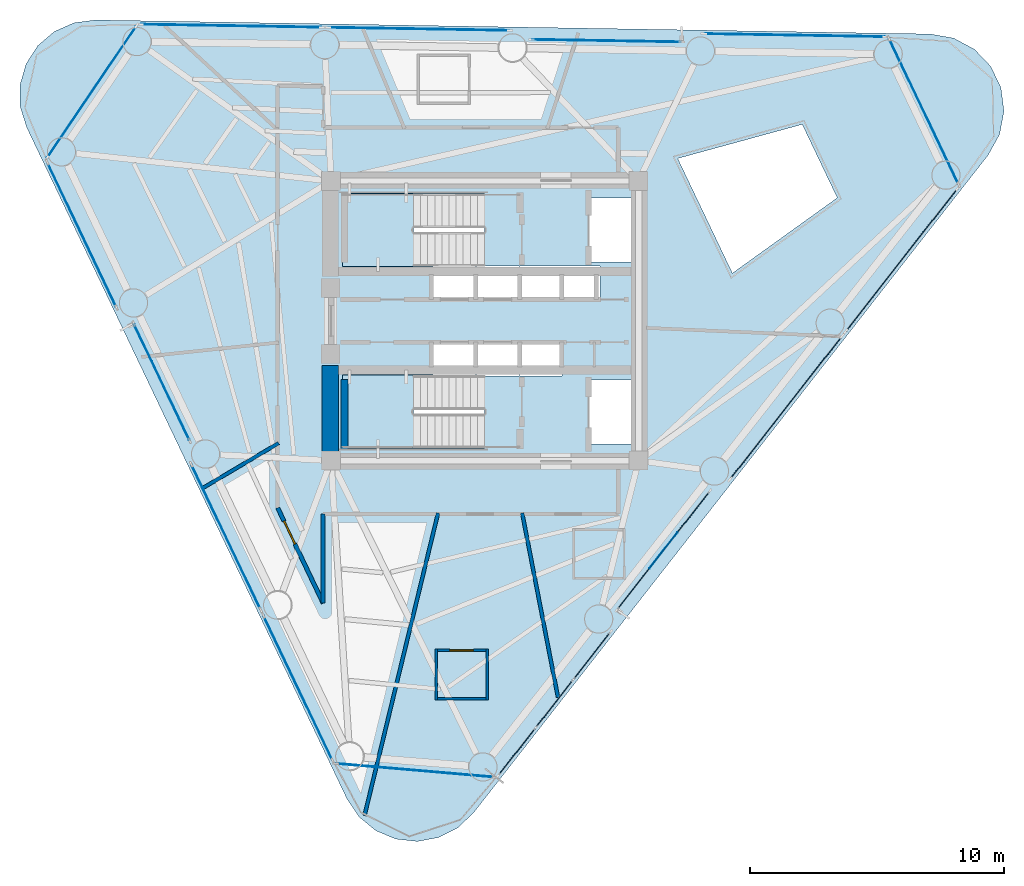
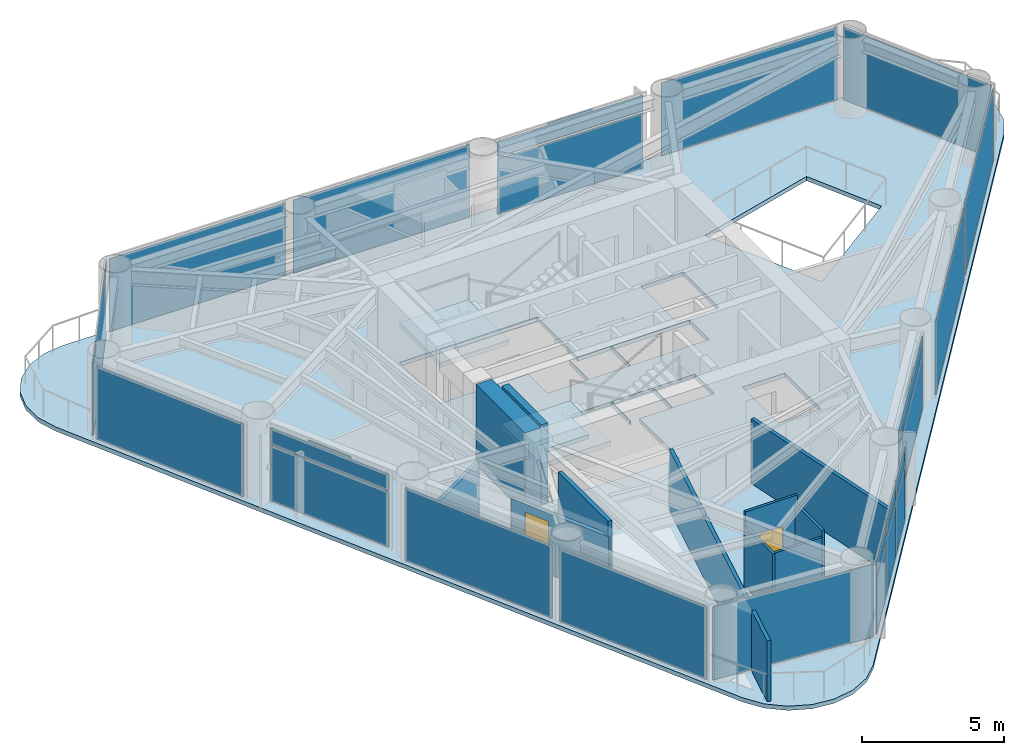
# One storey, part 4 of 9: 26 plates, 11 walls, 3 slabs, 2 doors, 2 openings, 17 elements without a shape of their own.
"""IFC4 building model written with IfcOpenShell, lengths in metres."""

from ifc_helpers import new_model, si_unit, direction, frame, frame_2d, origin, origin_2d, place, context, subcontext, project, spatial, polyline, rectangle, outline, extrude, source, transform, mapped, material, layer, layer_set, type_object, element, fill, aggregate, save


model = new_model("IFC4")

# Units and contexts
model_context = context("Model", 3, precision=1e-05, world=origin(), true_north=direction((0.0, 1.0)))
body_context = subcontext(model_context, "Body", "Model", "MODEL_VIEW")
ifc_project = project(units=[si_unit("LENGTHUNIT", "METRE"), si_unit("AREAUNIT", "SQUARE_METRE"), si_unit("VOLUMEUNIT", "CUBIC_METRE"), si_unit("PLANEANGLEUNIT", "RADIAN"), si_unit("MASSUNIT", "GRAM", prefix="KILO")], contexts=[model_context])

# Site, building, storey
site_placement = place(None, origin())
site = spatial("IfcSite", under=ifc_project, at=site_placement, CompositionType="ELEMENT")
building_placement = place(site_placement, origin())
building = spatial("IfcBuilding", under=site, at=building_placement, Name="Yunling Apex Tower", CompositionType="ELEMENT")
storey_placement = place(building_placement, frame((0.0, 0.0, 212.14990234375)))
storey = spatial("IfcBuildingStorey", under=building, at=storey_placement, Name="L52", CompositionType="ELEMENT", Elevation=212.14990234375)

# Slab
ifc_material_1 = material(Name="Concrete C40", Category="concrete")
ifc_layer_1 = layer(ifc_material_1, 0.1650390625)
ifc_layer_set_1 = layer_set([ifc_layer_1], Name="Concrete C40")
slab_type_1 = type_object("IfcSlabType", Name="SL-FLR-2", PredefinedType="FLOOR", material=ifc_layer_set_1)
slab_1_placement = place(storey_placement, frame((0.0, 0.0, -0.179931640625)))
element("IfcSlab", 1, at=slab_1_placement, inside=storey, type_object=slab_type_1, Name="L52 Composite Tower Floor Slab", PredefinedType="FLOOR", context=body_context, shape_type="SweptSolid", body=[
    extrude(outline(polyline([(-5.42578125, -18.80419921875), (-4.95068359375, -19.513427734375), (-4.29248046875, -20.056884765625), (-3.506103515625, -20.38916015625), (-2.65771484375, -20.482421875), (-1.818115234375, -20.32861328125), (-1.0576171875, -19.941162109375), (-0.439697265625, -19.35205078125), (19.8017578125, 6.518798828125), (20.25244140625, 7.333251953125), (20.427001953125, 8.24755859375), (20.307861328125, 9.1708984375), (19.9072265625, 10.010986328125), (19.2646484375, 10.684326171875), (18.4443359375, 11.1240234375), (17.527587890625, 11.286376953125), (-15.316162109375, 11.8369140625), (-16.16259765625, 11.7275390625), (-16.9423828125, 11.38037109375), (-17.59033203125, 10.824462890625), (-18.0517578125, 10.1064453125), (-18.288330078125, 9.286376953125), (-18.2802734375, 8.4326171875), (-18.0283203125, 7.6171875), (-5.42578125, -18.80419921875)]), holes=[polyline([(12.489013671875, 7.7294921875), (13.86669921875, 4.84130859375), (9.7412109375, 1.87646484375), (7.58837890625, 6.389404296875), (12.489013671875, 7.7294921875)]), polyline([(4.090087890625, -2.320068359375), (5.81005859375, -2.320068359375), (5.81005859375, -4.840087890625), (4.090087890625, -4.840087890625), (4.090087890625, -2.320068359375)]), polyline([(5.81005859375, 4.840087890625), (5.81005859375, 2.320068359375), (4.090087890625, 2.320068359375), (4.090087890625, 4.840087890625), (5.81005859375, 4.840087890625)]), polyline([(1.364990234375, 2.1650390625), (4.534912109375, 2.1650390625), (4.534912109375, 0.794921875), (1.364990234375, 0.794921875), (1.364990234375, 2.1650390625)]), polyline([(3.034912109375, -0.794921875), (3.034912109375, -2.1650390625), (1.364990234375, -2.1650390625), (1.364990234375, -0.794921875), (3.034912109375, -0.794921875)]), polyline([(-2.034912109375, -0.794921875), (-0.364990234375, -0.794921875), (-0.364990234375, -2.139892578125), (-0.3349609375, -2.139892578125), (-0.3349609375, -0.794921875), (1.3349609375, -0.794921875), (1.3349609375, -2.1650390625), (-0.010009765625, -2.1650390625), (-0.010009765625, -5.010009765625), (-5.60009765625, -5.010009765625), (-5.60009765625, -2.139892578125), (-2.034912109375, -2.139892578125), (-2.034912109375, -0.794921875)]), polyline([(-5.60009765625, 2.139892578125), (-5.60009765625, 5.010009765625), (-0.010009765625, 5.010009765625), (-0.010009765625, 2.1650390625), (1.3349609375, 2.1650390625), (1.3349609375, 0.794921875), (-0.3349609375, 0.794921875), (-0.3349609375, 2.139892578125), (-0.364990234375, 2.139892578125), (-0.364990234375, 0.794921875), (-2.034912109375, 0.794921875), (-2.034912109375, 2.139892578125), (-5.60009765625, 2.139892578125)])]), origin(), (0.0, 0.0, 1.0), 0.179931640625),
])

# Stair, slab
stair_type = type_object("IfcStairType", Name="ST-TWR-2", PredefinedType="HALF_TURN_STAIR", material=ifc_material_1)
stair_1_placement = place(storey_placement, origin())
stair_1 = element("IfcStair", 2, at=stair_1_placement, inside=storey, type_object=stair_type, Name="L52 North Core Smokeproof Exit Stair ST-1", PredefinedType="HALF_TURN_STAIR")
ifc_layer_2 = layer(ifc_material_1, 0.195068359375)
ifc_layer_set_2 = layer_set([ifc_layer_2], Name="Concrete C40")
slab_type_2 = type_object("IfcSlabType", Name="SL-LND-1", PredefinedType="LANDING", material=ifc_layer_set_2)
slab_2_placement = place(storey_placement, frame((0.0, 0.0, 1.530029296875)))
slab_2 = element("IfcSlab", 3, at=slab_2_placement, type_object=slab_type_2, Name="ST-1 landing 1", PredefinedType="LANDING", context=body_context, shape_type="SweptSolid", body=[
    extrude(outline(polyline([(-2.81005859375, 5.010009765625), (-5.60009765625, 5.010009765625), (-5.60009765625, 2.139892578125), (-2.81005859375, 2.139892578125), (-2.81005859375, 5.010009765625)])), origin(), (0.0, 0.0, 1.0), 0.195068359375),
])
aggregate(stair_1, [slab_2])

stair_2_placement = place(storey_placement, origin())
stair_2 = element("IfcStair", 4, at=stair_2_placement, inside=storey, type_object=stair_type, Name="L52 South Core Smokeproof Exit Stair ST-2", PredefinedType="HALF_TURN_STAIR")
slab_3_placement = place(storey_placement, frame((0.0, 0.0, 1.530029296875)))
slab_3 = element("IfcSlab", 5, at=slab_3_placement, type_object=slab_type_2, Name="ST-2 landing 1", PredefinedType="LANDING", context=body_context, shape_type="SweptSolid", body=[
    extrude(outline(polyline([(-2.81005859375, -2.139892578125), (-5.60009765625, -2.139892578125), (-5.60009765625, -5.010009765625), (-2.81005859375, -5.010009765625), (-2.81005859375, -2.139892578125)])), origin(), (0.0, 0.0, 1.0), 0.195068359375),
])
aggregate(stair_2, [slab_3])

# Plates
ifc_material_2 = material(Name="Bronze anodised aluminium", Category="aluminium")
ifc_layer_3 = layer(ifc_material_2, 0.011962890625)
ifc_layer_set_3 = layer_set([ifc_layer_3], Name="Bronze anodised aluminium")
plate_type_1 = type_object("IfcPlateType", Name="SP-SHT-1", PredefinedType="SHEET", material=ifc_layer_set_3)
shared_shape_1 = source(origin(), body_context, "Body", "SweptSolid", [
    extrude(rectangle(XDim=1.800048828125, YDim=0.02392578125, at=origin_2d()), origin(), (0.0, 0.0, 1.0), 0.43994140625),
])
for number, where, z_axis, x_axis, name in (
    (6, (7.02587890625, -9.03125, 2.8701171875), (0.0, 0.0, 1.0), (0.616211460536, 0.787580748815, 0.0), "SP-GRV-L52-F1"),
    (7, (4.792724609375, 11.019775390625, 2.8701171875), (0.0, 0.0, 1.0), (-0.999859635577, 0.016754376869, 0.0), "SP-GRV-L52-F2"),
    (8, (-12.71142578125, -2.414306640625, 2.8701171875), (0.0, 0.0, 1.0), (0.430511096808, -0.90258528435, 0.0), "SP-GRV-L52-F3"),
):
    element("IfcPlate", number, at=place(storey_placement, frame(where, z_axis=z_axis, x_axis=x_axis)), inside=storey, type_object=plate_type_1, Name=name, PredefinedType="SHEET", context=body_context, shape_type="MappedRepresentation", body=[
        mapped(shared_shape_1, transform((0.0, 0.0, 0.0), scale=1.0)),
    ])

# Curtain wall, plates
ifc_layer_4 = layer(ifc_material_2, 0.239990234375)
ifc_layer_set_4 = layer_set([ifc_layer_4], Name="Bronze anodised aluminium")
curtain_wall_type = type_object("IfcCurtainWallType", Name="CW-SYS-3", PredefinedType="NOTDEFINED", material=ifc_layer_set_4)
curtain_wall_1_placement = place(storey_placement, origin())
curtain_wall_1 = element("IfcCurtainWall", 9, at=curtain_wall_1_placement, inside=storey, type_object=curtain_wall_type, Name="CW-L52-F1-B1", PredefinedType="NOTDEFINED")
ifc_material_3 = material(Name="Bronze tinted low-E glass", Category="glass")
ifc_layer_5 = layer(ifc_material_3, 0.031982421875)
ifc_layer_set_5 = layer_set([ifc_layer_5], Name="Bronze tinted low-E glass")
plate_type_2 = type_object("IfcPlateType", Name="CW-PNL-3", PredefinedType="CURTAIN_PANEL", material=ifc_layer_set_5)
shared_shape_2 = source(origin(), body_context, "Body", "SweptSolid", [
    extrude(rectangle(XDim=2.306396484375, YDim=0.031982421875, at=origin_2d()), origin(), (0.0, 0.0, 1.0), 2.381103515625),
])
plate_1_placement = place(storey_placement, frame((1.266357421875, -16.9443359375, 0.072265625), z_axis=(0.0, 0.0, 1.0), x_axis=(0.616200489644, 0.787589332433, 0.0)))
plate_1 = element("IfcPlate", 10, at=plate_1_placement, type_object=plate_type_2, Name="CW-SYS-3 panel 1.1", PredefinedType="CURTAIN_PANEL", context=body_context, shape_type="MappedRepresentation", body=[
    mapped(shared_shape_2, transform((0.0, 0.0, 0.0), scale=1.0)),
])
plate_2_placement = place(storey_placement, frame((4.212158203125, -13.17919921875, 0.072265625), z_axis=(0.0, 0.0, 1.0), x_axis=(0.616200489644, 0.787589332433, 0.0)))
plate_2 = element("IfcPlate", 11, at=plate_2_placement, type_object=plate_type_2, Name="CW-SYS-3 panel 3.1", PredefinedType="CURTAIN_PANEL", context=body_context, shape_type="MappedRepresentation", body=[
    mapped(shared_shape_2, transform((0.0, 0.0, 0.0), scale=1.0)),
])
shared_shape_3 = source(origin(), body_context, "Body", "SweptSolid", [
    extrude(rectangle(XDim=2.306396484375, YDim=0.031982421875, at=origin_2d()), origin(), (0.0, 0.0, 1.0), 0.680908203125),
])
plate_3_placement = place(storey_placement, frame((1.266357421875, -16.9443359375, 2.51708984375), z_axis=(0.0, 0.0, 1.0), x_axis=(0.616200489644, 0.787589332433, 0.0)))
plate_3 = element("IfcPlate", 12, at=plate_3_placement, type_object=plate_type_2, Name="CW-SYS-3 panel 1.2", PredefinedType="CURTAIN_PANEL", context=body_context, shape_type="MappedRepresentation", body=[
    mapped(shared_shape_3, transform((0.0, 0.0, 0.0), scale=1.0)),
])
plate_4_placement = place(storey_placement, frame((4.212158203125, -13.17919921875, 2.51708984375), z_axis=(0.0, 0.0, 1.0), x_axis=(0.616200489644, 0.787589332433, 0.0)))
plate_4 = element("IfcPlate", 13, at=plate_4_placement, type_object=plate_type_2, Name="CW-SYS-3 panel 3.2", PredefinedType="CURTAIN_PANEL", context=body_context, shape_type="MappedRepresentation", body=[
    mapped(shared_shape_3, transform((0.0, 0.0, 0.0), scale=1.0)),
])
shared_shape_4 = source(origin(), body_context, "Body", "SweptSolid", [
    extrude(rectangle(XDim=2.34619140625, YDim=0.031982421875, at=origin_2d()), origin(), (0.0, 0.0, 1.0), 2.381103515625),
])
plate_5_placement = place(storey_placement, frame((2.7392578125, -15.061767578125, 0.072265625), z_axis=(0.0, 0.0, 1.0), x_axis=(0.616200489644, 0.787589332433, 0.0)))
plate_5 = element("IfcPlate", 14, at=plate_5_placement, type_object=plate_type_2, Name="CW-SYS-3 panel 2.1", PredefinedType="CURTAIN_PANEL", context=body_context, shape_type="MappedRepresentation", body=[
    mapped(shared_shape_4, transform((0.0, 0.0, 0.0), scale=1.0)),
])
shared_shape_5 = source(origin(), body_context, "Body", "SweptSolid", [
    extrude(rectangle(XDim=2.34619140625, YDim=0.031982421875, at=origin_2d()), origin(), (0.0, 0.0, 1.0), 0.680908203125),
])
plate_6_placement = place(storey_placement, frame((2.7392578125, -15.061767578125, 2.51708984375), z_axis=(0.0, 0.0, 1.0), x_axis=(0.616200489644, 0.787589332433, 0.0)))
plate_6 = element("IfcPlate", 15, at=plate_6_placement, type_object=plate_type_2, Name="CW-SYS-3 panel 2.2", PredefinedType="CURTAIN_PANEL", context=body_context, shape_type="MappedRepresentation", body=[
    mapped(shared_shape_5, transform((0.0, 0.0, 0.0), scale=1.0)),
])
aggregate(curtain_wall_1, [plate_1, plate_3, plate_5, plate_6, plate_2, plate_4])

# Curtain wall, plate
curtain_wall_2_placement = place(storey_placement, origin())
curtain_wall_2 = element("IfcCurtainWall", 16, at=curtain_wall_2_placement, inside=storey, type_object=curtain_wall_type, Name="CW-L52-F1-B2", PredefinedType="NOTDEFINED")
shared_shape_6 = source(origin(), body_context, "Body", "SweptSolid", [
    extrude(rectangle(XDim=5.846923828125, YDim=0.031982421875, at=origin_2d()), origin(), (0.0, 0.0, 1.0), 2.381103515625),
])
plate_7_placement = place(storey_placement, frame((7.025634765625, -9.03125, 0.072265625), z_axis=(0.0, 0.0, 1.0), x_axis=(0.616216892053, 0.787576499109, 0.0)))
plate_7 = element("IfcPlate", 17, at=plate_7_placement, type_object=plate_type_2, Name="CW-SYS-3 panel 1.1", PredefinedType="CURTAIN_PANEL", context=body_context, shape_type="MappedRepresentation", body=[
    mapped(shared_shape_6, transform((0.0, 0.0, 0.0), scale=1.0)),
])

curtain_wall_3_placement = place(storey_placement, origin())
curtain_wall_3 = element("IfcCurtainWall", 18, at=curtain_wall_3_placement, inside=storey, type_object=curtain_wall_type, Name="CW-L52-F2-B2", PredefinedType="NOTDEFINED")
plate_8_placement = place(storey_placement, frame((4.792724609375, 11.019775390625, 0.072265625), z_axis=(0.0, 0.0, 1.0), x_axis=(-0.999859564213, 0.016758635119, 0.0)))
plate_8 = element("IfcPlate", 19, at=plate_8_placement, type_object=plate_type_2, Name="CW-SYS-3 panel 1.1", PredefinedType="CURTAIN_PANEL", context=body_context, shape_type="MappedRepresentation", body=[
    mapped(shared_shape_6, transform((0.0, 0.0, 0.0), scale=1.0)),
])

# Plate
shared_shape_7 = source(origin(), body_context, "Body", "SweptSolid", [
    extrude(rectangle(XDim=5.846923828125, YDim=0.031982421875, at=origin_2d()), origin(), (0.0, 0.0, 1.0), 0.680908203125),
])
plate_9_placement = place(storey_placement, frame((7.025634765625, -9.03125, 2.51708984375), z_axis=(0.0, 0.0, 1.0), x_axis=(0.616216892053, 0.787576499109, 0.0)))
plate_9 = element("IfcPlate", 20, at=plate_9_placement, type_object=plate_type_2, Name="CW-SYS-3 panel 1.2", PredefinedType="CURTAIN_PANEL", context=body_context, shape_type="MappedRepresentation", body=[
    mapped(shared_shape_7, transform((0.0, 0.0, 0.0), scale=1.0)),
])

aggregate(curtain_wall_2, [plate_7, plate_9])

plate_10_placement = place(storey_placement, frame((4.792724609375, 11.019775390625, 2.51708984375), z_axis=(0.0, 0.0, 1.0), x_axis=(-0.999859564213, 0.016758635119, 0.0)))
plate_10 = element("IfcPlate", 21, at=plate_10_placement, type_object=plate_type_2, Name="CW-SYS-3 panel 1.2", PredefinedType="CURTAIN_PANEL", context=body_context, shape_type="MappedRepresentation", body=[
    mapped(shared_shape_7, transform((0.0, 0.0, 0.0), scale=1.0)),
])

aggregate(curtain_wall_3, [plate_8, plate_10])

# Curtain wall, plate
curtain_wall_4_placement = place(storey_placement, origin())
curtain_wall_4 = element("IfcCurtainWall", 22, at=curtain_wall_4_placement, inside=storey, type_object=curtain_wall_type, Name="CW-L52-F1-B3", PredefinedType="NOTDEFINED")
shared_shape_8 = source(origin(), body_context, "Body", "SweptSolid", [
    extrude(rectangle(XDim=7.0869140625, YDim=0.031982421875, at=origin_2d()), origin(), (0.0, 0.0, 1.0), 3.1259765625),
])
plate_11_placement = place(storey_placement, frame((11.847900390625, -3.419921875, 0.072021484375), z_axis=(0.0, 0.0, 1.0), x_axis=(0.616200489644, 0.787589332433, 0.0)))
plate_11 = element("IfcPlate", 23, at=plate_11_placement, type_object=plate_type_2, Name="CW-SYS-3 panel 1.1", PredefinedType="CURTAIN_PANEL", context=body_context, shape_type="MappedRepresentation", body=[
    mapped(shared_shape_8, transform((0.0, 0.0, 0.0), scale=1.0)),
])
aggregate(curtain_wall_4, [plate_11])

curtain_wall_5_placement = place(storey_placement, origin())
curtain_wall_5 = element("IfcCurtainWall", 24, at=curtain_wall_5_placement, inside=storey, type_object=curtain_wall_type, Name="CW-L52-F1-B4", PredefinedType="NOTDEFINED")
plate_12_placement = place(storey_placement, frame((16.402099609375, 2.401123046875, 0.072021484375), z_axis=(0.0, 0.0, 1.0), x_axis=(0.616200489644, 0.787589332433, 0.0)))
plate_12 = element("IfcPlate", 25, at=plate_12_placement, type_object=plate_type_2, Name="CW-SYS-3 panel 1.1", PredefinedType="CURTAIN_PANEL", context=body_context, shape_type="MappedRepresentation", body=[
    mapped(shared_shape_8, transform((0.0, 0.0, 0.0), scale=1.0)),
])
aggregate(curtain_wall_5, [plate_12])

curtain_wall_6_placement = place(storey_placement, origin())
curtain_wall_6 = element("IfcCurtainWall", 26, at=curtain_wall_6_placement, inside=storey, type_object=curtain_wall_type, Name="CW-L52-F2-B1", PredefinedType="NOTDEFINED")
plate_13_placement = place(storey_placement, frame((12.188232421875, 11.23583984375, 0.072021484375), z_axis=(0.0, 0.0, 1.0), x_axis=(-0.999859518498, 0.016761362354, 0.0)))
plate_13 = element("IfcPlate", 27, at=plate_13_placement, type_object=plate_type_2, Name="CW-SYS-3 panel 1.1", PredefinedType="CURTAIN_PANEL", context=body_context, shape_type="MappedRepresentation", body=[
    mapped(shared_shape_8, transform((0.0, 0.0, 0.0), scale=1.0)),
])
aggregate(curtain_wall_6, [plate_13])

curtain_wall_7_placement = place(storey_placement, origin())
curtain_wall_7 = element("IfcCurtainWall", 28, at=curtain_wall_7_placement, inside=storey, type_object=curtain_wall_type, Name="CW-L52-F2-B3", PredefinedType="NOTDEFINED")
plate_14_placement = place(storey_placement, frame((-2.591552734375, 11.483642578125, 0.072021484375), z_axis=(0.0, 0.0, 1.0), x_axis=(-0.999859754051, 0.016747305141, 0.0)))
plate_14 = element("IfcPlate", 29, at=plate_14_placement, type_object=plate_type_2, Name="CW-SYS-3 panel 1.1", PredefinedType="CURTAIN_PANEL", context=body_context, shape_type="MappedRepresentation", body=[
    mapped(shared_shape_8, transform((0.0, 0.0, 0.0), scale=1.0)),
])
aggregate(curtain_wall_7, [plate_14])

curtain_wall_8_placement = place(storey_placement, origin())
curtain_wall_8 = element("IfcCurtainWall", 30, at=curtain_wall_8_placement, inside=storey, type_object=curtain_wall_type, Name="CW-L52-F2-B4", PredefinedType="NOTDEFINED")
plate_15_placement = place(storey_placement, frame((-9.9814453125, 11.607421875, 0.072021484375), z_axis=(0.0, 0.0, 1.0), x_axis=(-0.999859518498, 0.016761362354, 0.0)))
plate_15 = element("IfcPlate", 31, at=plate_15_placement, type_object=plate_type_2, Name="CW-SYS-3 panel 1.1", PredefinedType="CURTAIN_PANEL", context=body_context, shape_type="MappedRepresentation", body=[
    mapped(shared_shape_8, transform((0.0, 0.0, 0.0), scale=1.0)),
])
aggregate(curtain_wall_8, [plate_15])

curtain_wall_9_placement = place(storey_placement, origin())
curtain_wall_9 = element("IfcCurtainWall", 32, at=curtain_wall_9_placement, inside=storey, type_object=curtain_wall_type, Name="CW-L52-CRN1", PredefinedType="NOTDEFINED")
shared_shape_9 = source(origin(), body_context, "Body", "SweptSolid", [
    extrude(rectangle(XDim=6.31494140625, YDim=0.031982421875, at=origin_2d()), origin(), (0.0, 0.0, 1.0), 3.1259765625),
])
plate_16_placement = place(storey_placement, frame((17.273193359375, 8.239013671875, 0.072021484375), z_axis=(0.0, 0.0, 1.0), x_axis=(-0.430527245951, 0.902577581426, 0.0)))
plate_16 = element("IfcPlate", 33, at=plate_16_placement, type_object=plate_type_2, Name="CW-SYS-3 panel 1.1", PredefinedType="CURTAIN_PANEL", context=body_context, shape_type="MappedRepresentation", body=[
    mapped(shared_shape_9, transform((0.0, 0.0, 0.0), scale=1.0)),
])
aggregate(curtain_wall_9, [plate_16])

curtain_wall_10_placement = place(storey_placement, origin())
curtain_wall_10 = element("IfcCurtainWall", 34, at=curtain_wall_10_placement, inside=storey, type_object=curtain_wall_type, Name="CW-L52-CRN2", PredefinedType="NOTDEFINED")
shared_shape_10 = source(origin(), body_context, "Body", "SweptSolid", [
    extrude(rectangle(XDim=6.237060546875, YDim=0.031982421875, at=origin_2d()), origin(), (0.0, 0.0, 1.0), 3.1259765625),
])
plate_17_placement = place(storey_placement, frame((-15.465087890625, 9.007080078125, 0.072021484375), z_axis=(0.0, 0.0, 1.0), x_axis=(-0.56057021458, -0.828106898006, 0.0)))
plate_17 = element("IfcPlate", 35, at=plate_17_placement, type_object=plate_type_2, Name="CW-SYS-3 panel 1.1", PredefinedType="CURTAIN_PANEL", context=body_context, shape_type="MappedRepresentation", body=[
    mapped(shared_shape_10, transform((0.0, 0.0, 0.0), scale=1.0)),
])
aggregate(curtain_wall_10, [plate_17])

curtain_wall_11_placement = place(storey_placement, origin())
curtain_wall_11 = element("IfcCurtainWall", 36, at=curtain_wall_11_placement, inside=storey, type_object=curtain_wall_type, Name="CW-L52-CRN3", PredefinedType="NOTDEFINED")
plate_18_placement = place(storey_placement, frame((-2.732666015625, -17.68701171875, 0.072021484375), z_axis=(0.0, 0.0, 1.0), x_axis=(0.996336698637, -0.085517150026, 0.0)))
plate_18 = element("IfcPlate", 37, at=plate_18_placement, type_object=plate_type_2, Name="CW-SYS-3 panel 1.1", PredefinedType="CURTAIN_PANEL", context=body_context, shape_type="MappedRepresentation", body=[
    mapped(shared_shape_10, transform((0.0, 0.0, 0.0), scale=1.0)),
])
aggregate(curtain_wall_11, [plate_18])

curtain_wall_12_placement = place(storey_placement, origin())
curtain_wall_12 = element("IfcCurtainWall", 38, at=curtain_wall_12_placement, inside=storey, type_object=curtain_wall_type, Name="CW-L52-F3-B1", PredefinedType="NOTDEFINED")
shared_shape_11 = source(origin(), body_context, "Body", "SweptSolid", [
    extrude(rectangle(XDim=6.282470703125, YDim=0.031982421875, at=origin_2d()), origin(), (0.0, 0.0, 1.0), 3.1259765625),
])
plate_19_placement = place(storey_placement, frame((-15.85400390625, 3.384033203125, 0.072021484375), z_axis=(0.0, 0.0, 1.0), x_axis=(0.430517577128, -0.902582193367, 0.0)))
plate_19 = element("IfcPlate", 39, at=plate_19_placement, type_object=plate_type_2, Name="CW-SYS-3 panel 1.1", PredefinedType="CURTAIN_PANEL", context=body_context, shape_type="MappedRepresentation", body=[
    mapped(shared_shape_11, transform((0.0, 0.0, 0.0), scale=1.0)),
])
aggregate(curtain_wall_12, [plate_19])

curtain_wall_13_placement = place(storey_placement, origin())
curtain_wall_13 = element("IfcCurtainWall", 40, at=curtain_wall_13_placement, inside=storey, type_object=curtain_wall_type, Name="CW-L52-F3-B3", PredefinedType="NOTDEFINED")
plate_20_placement = place(storey_placement, frame((-10.182861328125, -8.505615234375, 0.072021484375), z_axis=(0.0, 0.0, 1.0), x_axis=(0.430504900417, -0.902588239851, 0.0)))
plate_20 = element("IfcPlate", 41, at=plate_20_placement, type_object=plate_type_2, Name="CW-SYS-3 panel 1.1", PredefinedType="CURTAIN_PANEL", context=body_context, shape_type="MappedRepresentation", body=[
    mapped(shared_shape_11, transform((0.0, 0.0, 0.0), scale=1.0)),
])
aggregate(curtain_wall_13, [plate_20])

curtain_wall_14_placement = place(storey_placement, origin())
curtain_wall_14 = element("IfcCurtainWall", 42, at=curtain_wall_14_placement, inside=storey, type_object=curtain_wall_type, Name="CW-L52-F3-B4", PredefinedType="NOTDEFINED")
plate_21_placement = place(storey_placement, frame((-7.347412109375, -14.450439453125, 0.072021484375), z_axis=(0.0, 0.0, 1.0), x_axis=(0.430517577128, -0.902582193367, 0.0)))
plate_21 = element("IfcPlate", 43, at=plate_21_placement, type_object=plate_type_2, Name="CW-SYS-3 panel 1.1", PredefinedType="CURTAIN_PANEL", context=body_context, shape_type="MappedRepresentation", body=[
    mapped(shared_shape_11, transform((0.0, 0.0, 0.0), scale=1.0)),
])
aggregate(curtain_wall_14, [plate_21])

# Curtain wall, plates
curtain_wall_15_placement = place(storey_placement, origin())
curtain_wall_15 = element("IfcCurtainWall", 44, at=curtain_wall_15_placement, inside=storey, type_object=curtain_wall_type, Name="CW-L52-F3-B2", PredefinedType="NOTDEFINED")
shared_shape_12 = source(origin(), body_context, "Body", "SweptSolid", [
    extrude(rectangle(XDim=5.042236328125, YDim=0.031982421875, at=origin_2d()), origin(), (0.0, 0.0, 1.0), 2.381103515625),
])
plate_22_placement = place(storey_placement, frame((-12.71142578125, -2.41455078125, 0.072265625), z_axis=(0.0, 0.0, 1.0), x_axis=(0.430515783062, -0.902583049107, 0.0)))
plate_22 = element("IfcPlate", 45, at=plate_22_placement, type_object=plate_type_2, Name="CW-SYS-3 panel 1.1", PredefinedType="CURTAIN_PANEL", context=body_context, shape_type="MappedRepresentation", body=[
    mapped(shared_shape_12, transform((0.0, 0.0, 0.0), scale=1.0)),
])
shared_shape_13 = source(origin(), body_context, "Body", "SweptSolid", [
    extrude(rectangle(XDim=5.042236328125, YDim=0.031982421875, at=origin_2d()), origin(), (0.0, 0.0, 1.0), 0.680908203125),
])
plate_23_placement = place(storey_placement, frame((-12.71142578125, -2.41455078125, 2.51708984375), z_axis=(0.0, 0.0, 1.0), x_axis=(0.430515783062, -0.902583049107, 0.0)))
plate_23 = element("IfcPlate", 46, at=plate_23_placement, type_object=plate_type_2, Name="CW-SYS-3 panel 1.2", PredefinedType="CURTAIN_PANEL", context=body_context, shape_type="MappedRepresentation", body=[
    mapped(shared_shape_13, transform((0.0, 0.0, 0.0), scale=1.0)),
])
aggregate(curtain_wall_15, [plate_22, plate_23])

# Walls
ifc_material_4 = material(Name="Concrete C50", Category="concrete")
ifc_layer_6 = layer(ifc_material_4, 0.64990234375)
ifc_layer_set_6 = layer_set([ifc_layer_6], Name="Concrete C50")
wall_type_1 = type_object("IfcWallType", Name="WL-COR-2", PredefinedType="SHEAR", material=ifc_layer_set_6)
wall_1_placement = place(storey_placement, frame((-6.074951171875, -5.199951171875, 0.0), z_axis=(0.0, 0.0, 1.0), x_axis=(0.0, 1.0, 0.0)))
element("IfcWall", 47, at=wall_1_placement, inside=storey, type_object=wall_type_1, Name="L52 West-South Core Shear Wall", PredefinedType="SHEAR", context=body_context, shape_type="SweptSolid", body=[
    extrude(rectangle(XDim=3.449951171875, YDim=0.64990234375, at=frame_2d((1.72509765625, 0.0))), origin(), (0.0, 0.0, 1.0), 3.4501953125),
])
ifc_layer_7 = layer(ifc_material_1, 0.280029296875)
ifc_layer_set_7 = layer_set([ifc_layer_7], Name="Concrete C40")
wall_type_2 = type_object("IfcWallType", Name="WL-COR-8", PredefinedType="SHEAR", material=ifc_layer_set_7)
wall_2_placement = place(storey_placement, frame((-5.52001953125, -5.050048828125, 0.0), z_axis=(0.0, 0.0, 1.0), x_axis=(0.0, 1.0, 0.0)))
element("IfcWall", 48, at=wall_2_placement, inside=storey, type_object=wall_type_2, Name="L52 ST-2 West Landing Bearing Wall", PredefinedType="SHEAR", context=body_context, shape_type="SweptSolid", body=[
    extrude(rectangle(XDim=2.75, YDim=0.280029296875, at=frame_2d((1.375, 0.0))), origin(), (0.0, 0.0, 1.0), 3.4501953125),
])

# Wall, opening, door
ifc_material_5 = material(Name="Gypsum board acoustic partition")
ifc_layer_8 = layer(ifc_material_5, 0.159912109375)
ifc_layer_set_8 = layer_set([ifc_layer_8], Name="Gypsum board acoustic partition")
wall_type_3 = type_object("IfcWallType", Name="WL-PRT-1", PredefinedType="PARTITIONING", material=ifc_layer_set_8)
wall_3_placement = place(storey_placement, frame((-6.360107421875, -11.1083984375, 0.0), z_axis=(0.0, 0.0, 1.0), x_axis=(-0.430460013629, 0.902609648002, 0.0)))
wall_3 = element("IfcWall", 49, at=wall_3_placement, inside=storey, type_object=wall_type_3, Name="WL-CORR-L52-01", PredefinedType="PARTITIONING", context=body_context, shape_type="SweptSolid", body=[
    extrude(rectangle(XDim=4.157958984375, YDim=0.159912109375, at=frame_2d((2.0791015625, 0.0))), origin(), (0.0, 0.0, 1.0), 2.60498046875),
])
opening_1_placement = place(wall_3_placement, frame((2.576904296875, 0.0, 0.0)))
opening_1 = element("IfcOpeningElement", 50, at=opening_1_placement, cuts=wall_3, Name="Opening DR-OFF-1", PredefinedType="OPENING", context=body_context, shape_type="SweptSolid", body=[
    extrude(rectangle(XDim=1.0, YDim=2.25, at=frame_2d((0.5, 1.125))), frame((0.0, 0.08984375, 0.0), z_axis=(0.0, -1.0, 0.0), x_axis=(1.0, 0.0, 0.0)), (0.0, 0.0, 1.0), 0.179931640625),
])
door_type_1 = type_object("IfcDoorType", Name="DR-OFF-1", OperationType="NOTDEFINED", PredefinedType="DOOR", material=ifc_material_2)
door_1_placement = place(opening_1_placement, origin())
door_1 = element("IfcDoor", 51, at=door_1_placement, inside=storey, type_object=door_type_1, Name="L52 Staff Duty Office Door", OperationType="SINGLE_SWING_RIGHT", OverallHeight=2.25, OverallWidth=1.0, PredefinedType="DOOR", context=body_context, shape_type="SweptSolid", body=[
    extrude(rectangle(XDim=1.0, YDim=2.25, at=frame_2d((0.5, 1.125))), frame((0.0, 0.02490234375, 0.0), z_axis=(0.0, -1.0, 0.0), x_axis=(1.0, 0.0, 0.0)), (0.0, 0.0, 1.0), 0.050048828125),
])
fill(opening_1, door_1)

# Walls
wall_4_placement = place(storey_placement, frame((-6.360107421875, -7.60009765625, 0.0), z_axis=(0.0, 0.0, 1.0), x_axis=(0.0, -1.0, 0.0)))
element("IfcWall", 52, at=wall_4_placement, inside=storey, type_object=wall_type_3, Name="WL-CORR-L52-10", PredefinedType="PARTITIONING", context=body_context, shape_type="SweptSolid", body=[
    extrude(rectangle(XDim=3.50830078125, YDim=0.159912109375, at=frame_2d((1.754150390625, 0.0))), origin(), (0.0, 0.0, 1.0), 3.25),
])
ifc_layer_9 = layer(ifc_material_5, 0.139892578125)
ifc_layer_set_9 = layer_set([ifc_layer_9], Name="Gypsum board acoustic partition")
wall_type_4 = type_object("IfcWallType", Name="WL-PRT-2", PredefinedType="PARTITIONING", material=ifc_layer_set_9)
wall_5_placement = place(storey_placement, frame((-8.110107421875, -4.80908203125, 0.0), z_axis=(0.0, 0.0, 1.0), x_axis=(-0.860151862046, -0.510038012524, 0.0)))
element("IfcWall", 53, at=wall_5_placement, inside=storey, type_object=wall_type_4, Name="WL-RAD-L52-06", PredefinedType="PARTITIONING", context=body_context, shape_type="SweptSolid", body=[
    extrude(rectangle(XDim=3.436279296875, YDim=0.139892578125, at=frame_2d((1.71826171875, 0.0))), origin(), (0.0, 0.0, 1.0), 2.60498046875),
])
wall_6_placement = place(storey_placement, frame((-1.83837890625, -7.56005859375, 0.0), z_axis=(0.0, 0.0, 1.0), x_axis=(-0.236259509823, -0.971689993783, 0.0)))
element("IfcWall", 54, at=wall_6_placement, inside=storey, type_object=wall_type_4, Name="WL-RAD-L52-07", PredefinedType="PARTITIONING", context=body_context, shape_type="SweptSolid", body=[
    extrude(rectangle(XDim=12.247314453125, YDim=0.139892578125, at=frame_2d((6.12353515625, 0.0))), origin(), (0.0, 0.0, 1.0), 2.60498046875),
])
wall_7_placement = place(storey_placement, frame((1.469482421875, -7.56005859375, 0.0), z_axis=(0.0, 0.0, 1.0), x_axis=(0.190822808967, -0.981624498257, 0.0)))
element("IfcWall", 55, at=wall_7_placement, inside=storey, type_object=wall_type_4, Name="WL-RAD-L52-08", PredefinedType="PARTITIONING", context=body_context, shape_type="SweptSolid", body=[
    extrude(rectangle(XDim=7.392333984375, YDim=0.139892578125, at=frame_2d((3.6962890625, 0.0))), origin(), (0.0, 0.0, 1.0), 2.76513671875),
])

# Wall, opening, door
ifc_layer_10 = layer(ifc_material_5, 0.10009765625)
ifc_layer_set_10 = layer_set([ifc_layer_10], Name="Gypsum board acoustic partition")
wall_type_5 = type_object("IfcWallType", Name="WL-PRT-4", PredefinedType="PARTITIONING", material=ifc_layer_set_10)
wall_8_placement = place(storey_placement, frame((-1.9619140625, -12.967041015625, 0.0), z_axis=(0.0, 0.0, 1.0), x_axis=(1.0, 0.0, 0.0)))
wall_8 = element("IfcWall", 56, at=wall_8_placement, inside=storey, type_object=wall_type_5, Name="WL-ENS-L52-3N", PredefinedType="PARTITIONING", context=body_context, shape_type="SweptSolid", body=[
    extrude(rectangle(XDim=2.099853515625, YDim=0.10009765625, at=frame_2d((1.0498046875, 0.0))), origin(), (0.0, 0.0, 1.0), 3.25),
])
opening_2_placement = place(wall_8_placement, frame((0.590087890625, 0.0, 0.0)))
opening_2 = element("IfcOpeningElement", 57, at=opening_2_placement, cuts=wall_8, Name="Opening DR-WC-1", PredefinedType="OPENING", context=body_context, shape_type="SweptSolid", body=[
    extrude(rectangle(XDim=0.919921875, YDim=2.10009765625, at=frame_2d((0.4599609375, 1.050048828125))), frame((0.0, 0.06005859375, 0.0), z_axis=(0.0, -1.0, 0.0), x_axis=(1.0, 0.0, 0.0)), (0.0, 0.0, 1.0), 0.1201171875),
])
ifc_material_6 = material(Name="Timber moisture-resistant leaf", Category="wood")
door_type_2 = type_object("IfcDoorType", Name="DR-WC-1", OperationType="NOTDEFINED", PredefinedType="DOOR", material=ifc_material_6)
door_2_placement = place(opening_2_placement, origin())
door_2 = element("IfcDoor", 58, at=door_2_placement, inside=storey, type_object=door_type_2, Name="L52 En-Suite Door", OperationType="SINGLE_SWING_LEFT", OverallHeight=2.10009765625, OverallWidth=0.919921875, PredefinedType="DOOR", context=body_context, shape_type="SweptSolid", body=[
    extrude(rectangle(XDim=0.919921875, YDim=2.10009765625, at=frame_2d((0.4599609375, 1.050048828125))), frame((0.0, 0.02490234375, 0.0), z_axis=(0.0, -1.0, 0.0), x_axis=(1.0, 0.0, 0.0)), (0.0, 0.0, 1.0), 0.050048828125),
])
fill(opening_2, door_2)

# Walls
wall_9_placement = place(storey_placement, frame((0.137939453125, -14.866943359375, 0.0), z_axis=(0.0, 0.0, 1.0), x_axis=(-1.0, 0.0, 0.0)))
element("IfcWall", 59, at=wall_9_placement, inside=storey, type_object=wall_type_5, Name="WL-ENS-L52-3S", PredefinedType="PARTITIONING", context=body_context, shape_type="SweptSolid", body=[
    extrude(rectangle(XDim=2.099853515625, YDim=0.10009765625, at=frame_2d((1.0498046875, 0.0))), origin(), (0.0, 0.0, 1.0), 2.60498046875),
])
wall_10_placement = place(storey_placement, frame((0.087890625, -12.9169921875, 0.0), z_axis=(0.0, 0.0, 1.0), x_axis=(0.0, -1.0, 0.0)))
element("IfcWall", 60, at=wall_10_placement, inside=storey, type_object=wall_type_5, Name="WL-ENS-L52-3E", PredefinedType="PARTITIONING", context=body_context, shape_type="SweptSolid", body=[
    extrude(rectangle(XDim=2.0, YDim=0.10009765625, at=frame_2d((1.0, 0.0))), origin(), (0.0, 0.0, 1.0), 2.905029296875),
])
wall_11_placement = place(storey_placement, frame((-1.912109375, -14.9169921875, 0.0), z_axis=(0.0, 0.0, 1.0), x_axis=(0.0, 1.0, 0.0)))
element("IfcWall", 61, at=wall_11_placement, inside=storey, type_object=wall_type_5, Name="WL-ENS-L52-3W", PredefinedType="PARTITIONING", context=body_context, shape_type="SweptSolid", body=[
    extrude(rectangle(XDim=2.0, YDim=0.10009765625, at=frame_2d((1.0, 0.0))), origin(), (0.0, 0.0, 1.0), 2.60498046875),
])

save(model, "model.ifc")
